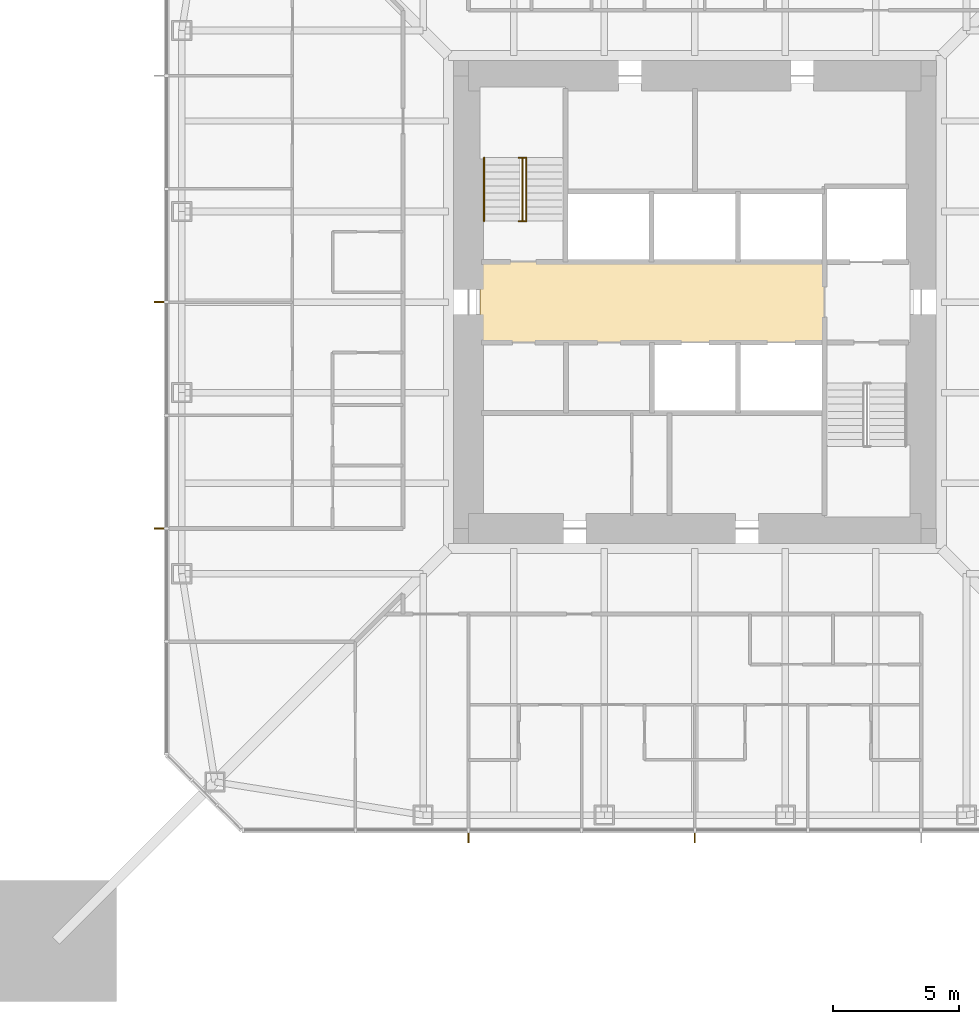
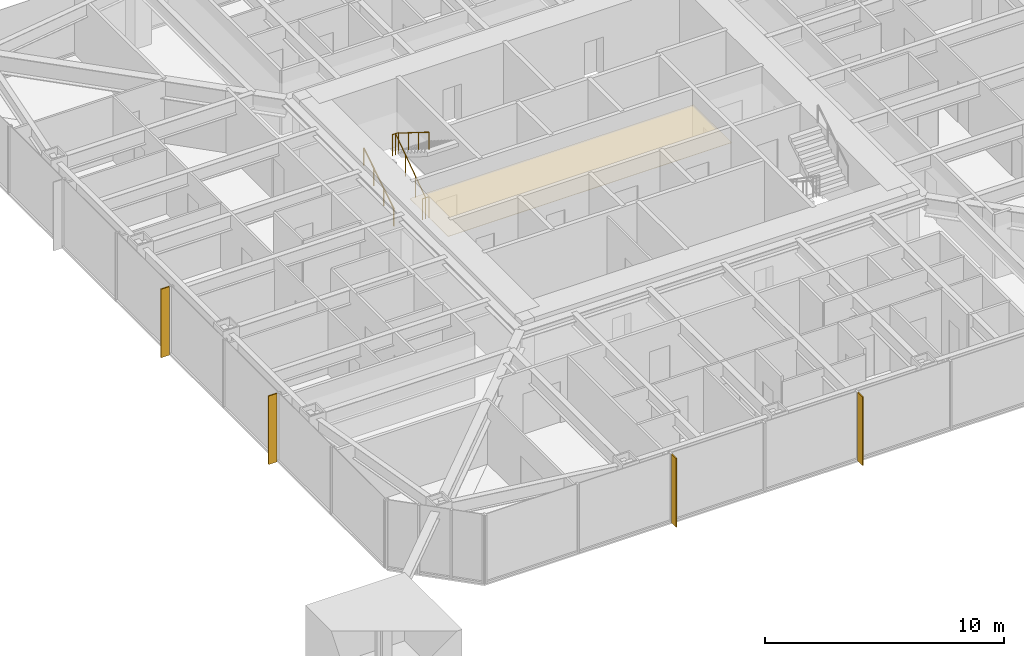
# One storey, part 21 of 25: 4 shading devices, 3 railings, 1 covering.
"""IFC4 building model written with IfcOpenShell, lengths in metres."""

from ifc_helpers import new_model, si_unit, direction, frame, origin, origin_2d, place, context, subcontext, project, spatial, polyline, rectangle, circle, outline, extrude, material, layer, layer_set, constituent, constituent_set, type_object, element, save


model = new_model("IFC4")

# Units and contexts
model_context = context("Model", 3, precision=1e-05, world=origin(), true_north=direction((0.0, 1.0)))
body_context = subcontext(model_context, "Body", "Model", "MODEL_VIEW")
ifc_project = project(units=[si_unit("LENGTHUNIT", "METRE"), si_unit("AREAUNIT", "SQUARE_METRE"), si_unit("VOLUMEUNIT", "CUBIC_METRE"), si_unit("PLANEANGLEUNIT", "RADIAN"), si_unit("MASSUNIT", "GRAM", prefix="KILO")], contexts=[model_context])

# Site, building, storey
site_placement = place(None, origin())
site = spatial("IfcSite", under=ifc_project, at=site_placement, CompositionType="ELEMENT")
building_placement = place(site_placement, origin())
building = spatial("IfcBuilding", under=site, at=building_placement, Name="Iwan Alto Co-Living Towers", CompositionType="ELEMENT")
storey_placement = place(building_placement, frame((0.0, 0.0, 87.5)))
storey = spatial("IfcBuildingStorey", under=building, at=storey_placement, Name="L23", CompositionType="ELEMENT", Elevation=87.5)

# Covering
ifc_material_1 = material(Name="Mineral fibre acoustic tiles on steel grid", Category="steel")
ifc_layer_1 = layer(ifc_material_1, 0.02001953125)
ifc_layer_set_1 = layer_set([ifc_layer_1], Name="ACOUSTIC TILE CEILING 20")
covering_type = type_object("IfcCoveringType", Name="ACOUSTIC TILE CEILING 20", PredefinedType="CEILING", material=ifc_layer_set_1)
covering_placement = place(storey_placement, frame((0.0, 0.0, 2.60009765625)))
element("IfcCovering", 1, at=covering_placement, inside=storey, type_object=covering_type, Name="Ceiling Lift lobby L23", PredefinedType="CEILING", context=body_context, shape_type="SweptSolid", body=[
    extrude(outline(polyline([(-8.550048828125, -1.60009765625), (-8.550048828125, 1.60009765625), (5.14990234375, 1.60009765625), (5.14990234375, -1.60009765625), (-8.550048828125, -1.60009765625)])), origin(), (0.0, 0.0, 1.0), 0.02001953125),
])

# Shading devices
ifc_material_2 = material(Name="Aluminium 6063-T6 bronze anodised", Category="aluminium")
ifc_layer_2 = layer(ifc_material_2, 0.050048828125)
ifc_layer_set_2 = layer_set([ifc_layer_2], Name="BRONZE FIN 50X400")
shading_device_type = type_object("IfcShadingDeviceType", Name="BRONZE FIN 50X400", PredefinedType="USERDEFINED", material=ifc_layer_set_2)
for number, where, z_axis, x_axis, name in (
    (2, (-9.0, -21.300048828125, 0.0), (0.0, 0.0, 1.0), (1.0, 0.0, 0.0), "Bronze fin L23"),
    (3, (0.0, -21.300048828125, 0.0), (0.0, 0.0, 1.0), (1.0, 0.0, 0.0), "Bronze fin L23"),
    (4, (-21.300048828125, 0.0, 0.0), (0.0, 0.0, 1.0), (0.0, -1.0, 0.0), "Bronze fin L23"),
    (5, (-21.300048828125, -9.0, 0.0), (0.0, 0.0, 1.0), (0.0, -1.0, 0.0), "Bronze fin L23"),
):
    element("IfcShadingDevice", number, at=place(storey_placement, frame(where, z_axis=z_axis, x_axis=x_axis)), inside=storey, type_object=shading_device_type, Name=name, ObjectType="LOUVER", PredefinedType="USERDEFINED", context=body_context, shape_type="SweptSolid", body=[
        extrude(rectangle(XDim=0.050048828125, YDim=0.39990234375, at=origin_2d()), origin(), (0.0, 0.0, 1.0), 3.5),
    ])

# Railings
ifc_material_3 = material(Name="Steel ASTM A500 Gr C", Category="steel")
ifc_constituent_1 = constituent(ifc_material_3, Name="Rails and posts", Category="Framing")
ifc_material_4 = material(Name="Steel ASTM A36", Category="steel")
ifc_constituent_2 = constituent(ifc_material_4, Name="Bar infill", Category="Infill")
ifc_constituent_set = constituent_set(constituents=[ifc_constituent_1, ifc_constituent_2], Name="STAIR GUARD 1100")
railing_type_1 = type_object("IfcRailingType", Name="STAIR GUARD 1100", PredefinedType="GUARDRAIL", material=ifc_constituent_set)
railing_1_placement = place(storey_placement, frame((-6.85009765625, 3.219970703125, 0.0)))
element("IfcRailing", 6, at=railing_1_placement, inside=storey, type_object=railing_type_1, Name="Stair T1-S1 well guard L23", PredefinedType="GUARDRAIL", context=body_context, shape_type="SweptSolid", body=[
    extrude(circle(Radius=0.02392578125, at=origin_2d()), frame((0.0, 0.0, 1.076171875), z_axis=(0.0, 0.821372036852, 0.570392826987), x_axis=(-1.0, 0.0, 0.0)), (0.0, 0.0, 1.0), 3.068115234375),
    extrude(circle(Radius=0.02392578125, at=origin_2d()), frame((-0.14990234375, 0.0, 1.076171875), z_axis=(1.0, 0.0, 0.0), x_axis=(0.0, 1.0, 0.0)), (0.0, 0.0, 1.0), 0.300048828125),
    extrude(circle(Radius=0.02392578125, at=origin_2d()), frame((-0.14990234375, 2.52001953125, 2.826171875), z_axis=(1.0, 0.0, 0.0), x_axis=(0.0, 1.0, 0.0)), (0.0, 0.0, 1.0), 0.300048828125),
    extrude(circle(Radius=0.02099609375, at=origin_2d()), origin(), (0.0, 0.0, 1.0), 1.052001953125),
    extrude(circle(Radius=0.02099609375, at=origin_2d()), frame((0.0, 0.840087890625, 0.583251953125)), (0.0, 0.0, 1.0), 1.052001953125),
    extrude(circle(Radius=0.02099609375, at=origin_2d()), frame((0.0, 1.679931640625, 1.166748046875)), (0.0, 0.0, 1.0), 1.052001953125),
    extrude(circle(Radius=0.02099609375, at=origin_2d()), frame((0.0, 2.52001953125, 1.75)), (0.0, 0.0, 1.0), 1.052001953125),
    extrude(circle(Radius=0.02099609375, at=origin_2d()), frame((-0.14990234375, 0.0, 0.0)), (0.0, 0.0, 1.0), 1.052001953125),
    extrude(circle(Radius=0.02099609375, at=origin_2d()), frame((0.150146484375, 0.0, 0.0)), (0.0, 0.0, 1.0), 1.052001953125),
    extrude(circle(Radius=0.02099609375, at=origin_2d()), frame((-0.14990234375, 2.52001953125, 1.75)), (0.0, 0.0, 1.0), 1.052001953125),
    extrude(circle(Radius=0.02099609375, at=origin_2d()), frame((0.150146484375, 2.52001953125, 1.75)), (0.0, 0.0, 1.0), 1.052001953125),
])
ifc_material_5 = material(Name="Steel ASTM A500 Gr C", Category="steel")
railing_type_2 = type_object("IfcRailingType", Name="STAIR HANDRAIL 900", PredefinedType="HANDRAIL", material=ifc_material_5)
railing_2_placement = place(storey_placement, frame((-8.3798828125, 3.219970703125, 0.175048828125)))
element("IfcRailing", 7, at=railing_2_placement, inside=storey, type_object=railing_type_2, Name="Stair T1-S1 handrail 1 L23", PredefinedType="HANDRAIL", context=body_context, shape_type="SweptSolid", body=[
    extrude(circle(Radius=0.02392578125, at=origin_2d()), frame((0.0, 0.0, 0.8759765625), z_axis=(0.0, 0.848007534815, 0.529984170421), x_axis=(-1.0, 0.0, 0.0)), (0.0, 0.0, 1.0), 2.9716796875),
    extrude(circle(Radius=0.02099609375, at=origin_2d()), origin(), (0.0, 0.0, 1.0), 0.851806640625),
    extrude(circle(Radius=0.02099609375, at=origin_2d()), frame((0.0, 0.840087890625, 0.52490234375)), (0.0, 0.0, 1.0), 0.851806640625),
    extrude(circle(Radius=0.02099609375, at=origin_2d()), frame((0.0, 1.679931640625, 1.050048828125)), (0.0, 0.0, 1.0), 0.851806640625),
    extrude(circle(Radius=0.02099609375, at=origin_2d()), frame((0.0, 2.52001953125, 1.574951171875)), (0.0, 0.0, 1.0), 0.851806640625),
])
railing_3_placement = place(storey_placement, frame((-6.699951171875, 5.739990234375, 1.925048828125)))
element("IfcRailing", 8, at=railing_3_placement, inside=storey, type_object=railing_type_2, Name="Stair T1-S1 handrail 2 L23", PredefinedType="HANDRAIL", context=body_context, shape_type="SweptSolid", body=[
    extrude(circle(Radius=0.02392578125, at=origin_2d()), frame((0.0, 0.0, 0.8759765625), z_axis=(0.0, -0.848007534815, 0.529984170421), x_axis=(1.0, 0.0, 0.0)), (0.0, 0.0, 1.0), 2.9716796875),
    extrude(circle(Radius=0.02099609375, at=origin_2d()), origin(), (0.0, 0.0, 1.0), 0.851806640625),
    extrude(circle(Radius=0.02099609375, at=origin_2d()), frame((0.0, -0.840087890625, 0.52490234375)), (0.0, 0.0, 1.0), 0.851806640625),
    extrude(circle(Radius=0.02099609375, at=origin_2d()), frame((0.0, -1.679931640625, 1.050048828125)), (0.0, 0.0, 1.0), 0.851806640625),
    extrude(circle(Radius=0.02099609375, at=origin_2d()), frame((0.0, -2.52001953125, 1.574951171875)), (0.0, 0.0, 1.0), 0.851806640625),
])

save(model, "model.ifc")
